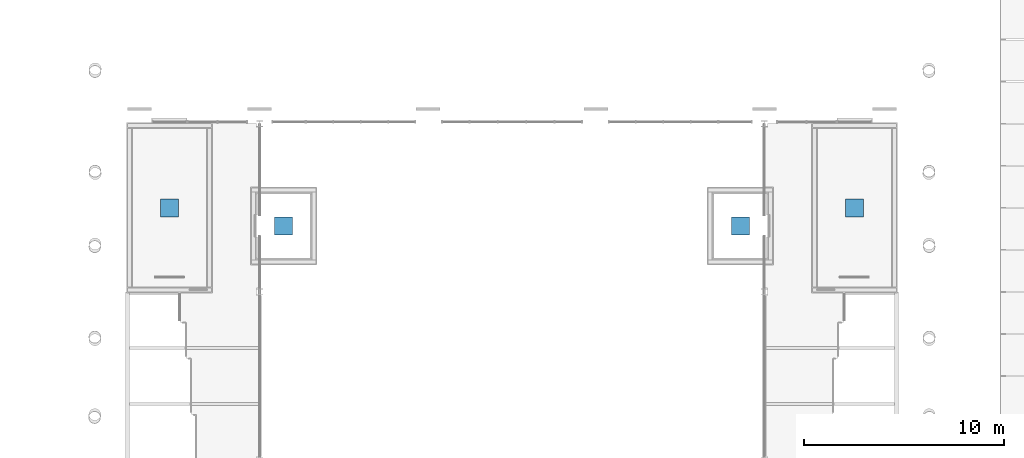
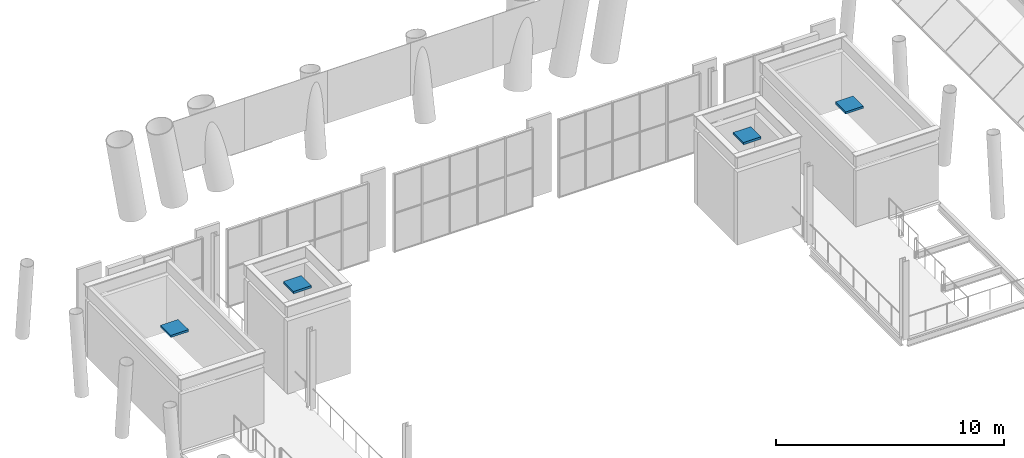
# One storey, part 50 of 76: 4 discrete accessories.
"""IFC4 building model written with IfcOpenShell, lengths in metres."""

from ifc_helpers import new_model, si_unit, direction, frame, origin, origin_2d, place, context, subcontext, project, spatial, rectangle, extrude, material, type_object, element, save


model = new_model("IFC4")

# Units and contexts
model_context = context("Model", 3, precision=1e-05, world=origin(), true_north=direction((0.0, 1.0)))
body_context = subcontext(model_context, "Body", "Model", "MODEL_VIEW")
ifc_project = project(units=[si_unit("LENGTHUNIT", "METRE"), si_unit("AREAUNIT", "SQUARE_METRE"), si_unit("VOLUMEUNIT", "CUBIC_METRE"), si_unit("PLANEANGLEUNIT", "RADIAN"), si_unit("MASSUNIT", "GRAM", prefix="KILO")], contexts=[model_context])

# Site, building, storey
site_placement = place(None, origin())
site = spatial("IfcSite", under=ifc_project, at=site_placement, CompositionType="ELEMENT")
building_placement = place(site_placement, origin())
building = spatial("IfcBuilding", under=site, at=building_placement, Name="Sava Quay Ferry Terminal", CompositionType="ELEMENT")
storey_placement = place(building_placement, frame((0.0, 0.0, 10.800048828125)))
storey = spatial("IfcBuildingStorey", under=building, at=storey_placement, Name="L02", CompositionType="ELEMENT", Elevation=10.800048828125)

# Discrete accessories
ifc_material = material(Name="Galvanised steel S355J2", Category="steel")
discrete_accessory_type = type_object("IfcDiscreteAccessoryType", Name="Roof access hatch 900x900", PredefinedType="NOTDEFINED", material=ifc_material)
for number, where, z_axis, x_axis, name in (
    (1, (45.89990234375, 96.60009765625, 3.199951171875), (0.0, 0.0, 1.0), (1.0, 0.0, 0.0), "Roof access hatch ST-D5"),
    (2, (80.10009765625, 96.60009765625, 3.199951171875), (0.0, 0.0, 1.0), (1.0, 0.0, 0.0), "Roof access hatch ST-D6"),
    (3, (51.60009765625, 95.699951171875, 4.099853515625), (0.0, 0.0, 1.0), (1.0, 0.0, 0.0), "Roof access hatch LF-D2"),
    (4, (74.39990234375, 95.699951171875, 4.099853515625), (0.0, 0.0, 1.0), (1.0, 0.0, 0.0), "Roof access hatch LF-D3"),
):
    element("IfcDiscreteAccessory", number, at=place(storey_placement, frame(where, z_axis=z_axis, x_axis=x_axis)), inside=storey, type_object=discrete_accessory_type, Name=name, PredefinedType="NOTDEFINED", context=body_context, shape_type="SweptSolid", body=[
        extrude(rectangle(XDim=0.89990234375, YDim=0.89990234375, at=origin_2d()), origin(), (0.0, 0.0, 1.0), 0.1201171875),
    ])

save(model, "model.ifc")
